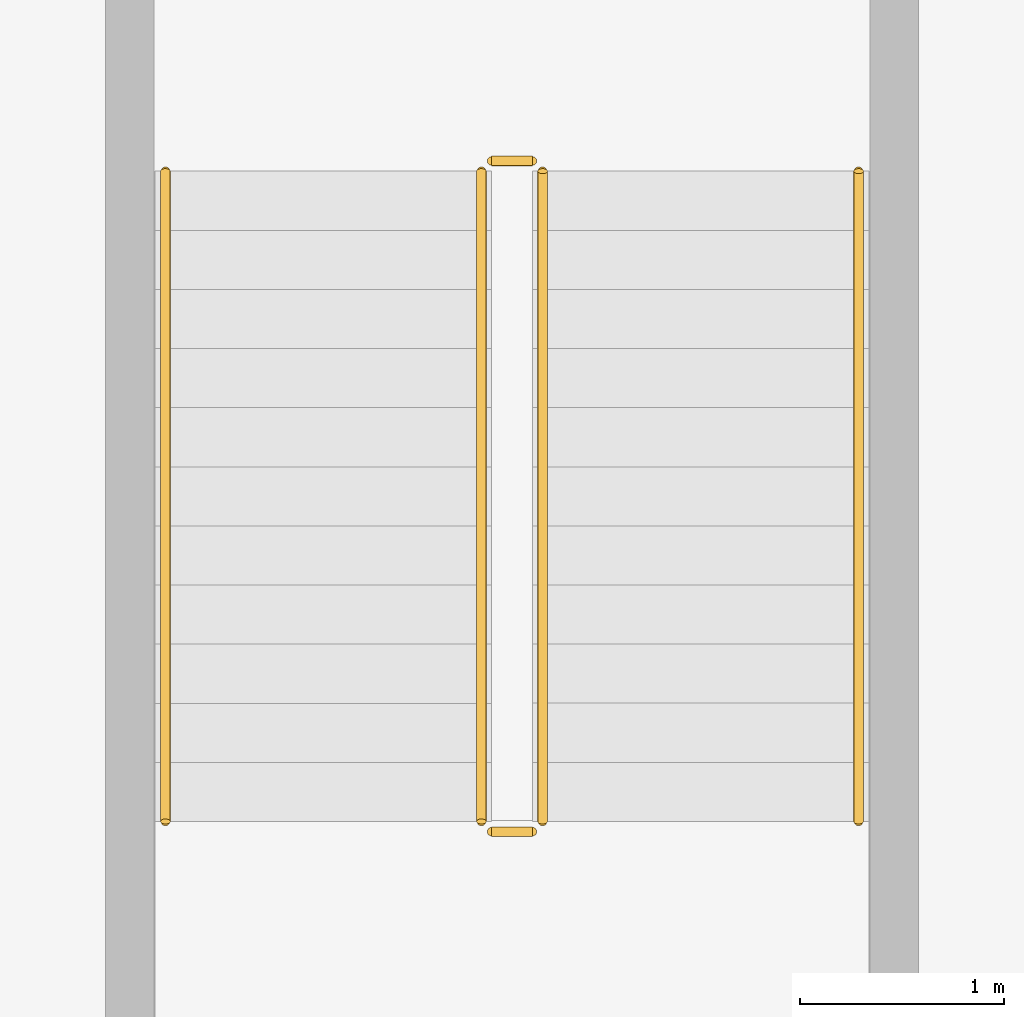
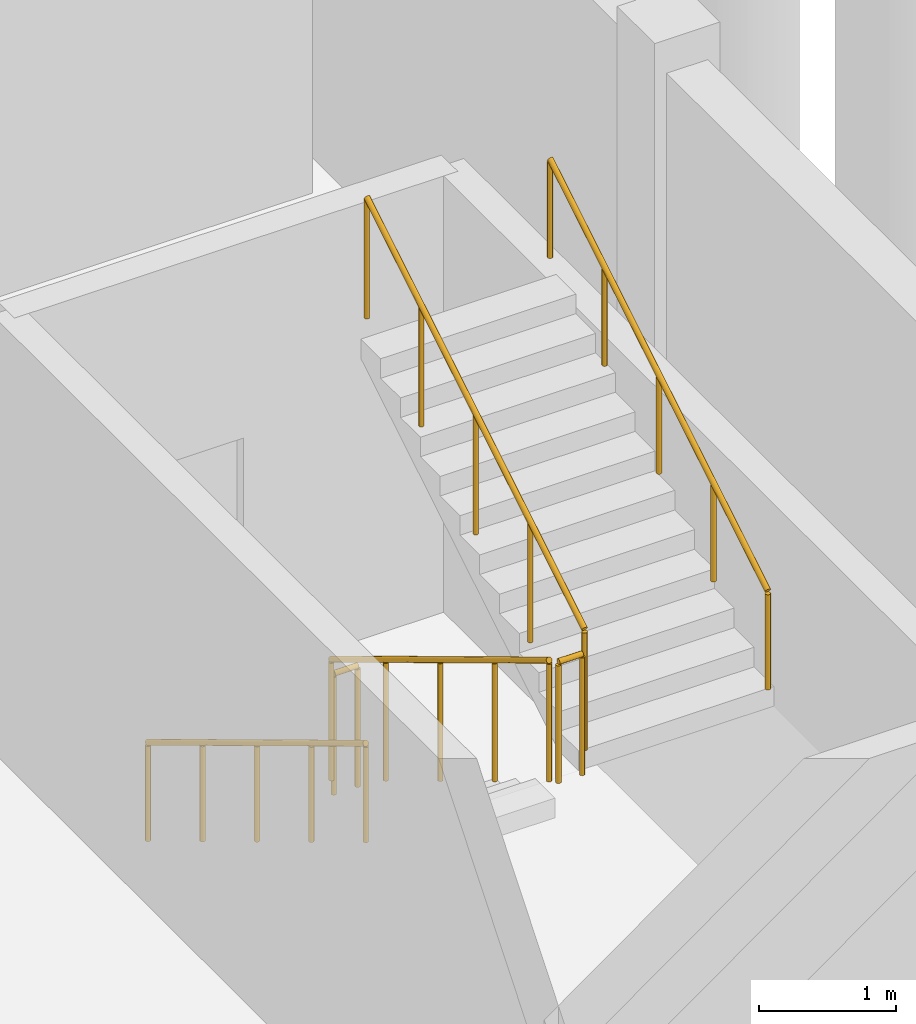
# One storey, part 28 of 36: 6 railings.
"""IFC4 building model written with IfcOpenShell, lengths in metres."""

from ifc_helpers import new_model, si_unit, derived_unit, direction, frame, origin, origin_2d, place, context, subcontext, project, spatial, circle, extrude, material, type_object, element, save


model = new_model("IFC4")

# Units and contexts
model_context = context("Model", 3, precision=1e-05, world=origin(), true_north=direction((0.0, 1.0)))
body_context = subcontext(model_context, "Body", "Model", "MODEL_VIEW")
ifc_project = project(units=[si_unit("LENGTHUNIT", "METRE"), si_unit("AREAUNIT", "SQUARE_METRE"), si_unit("VOLUMEUNIT", "CUBIC_METRE"), si_unit("PLANEANGLEUNIT", "RADIAN"), si_unit("MASSUNIT", "GRAM", prefix="KILO"), si_unit("THERMODYNAMICTEMPERATUREUNIT", "KELVIN"), si_unit("TIMEUNIT", "SECOND"), derived_unit("THERMALTRANSMITTANCEUNIT", [(si_unit("MASSUNIT", "GRAM", prefix="KILO"), 1), (si_unit("THERMODYNAMICTEMPERATUREUNIT", "KELVIN"), -1), (si_unit("TIMEUNIT", "SECOND"), -3)])], contexts=[model_context])

# Site, building, storey
site_placement = place(None, origin())
site = spatial("IfcSite", under=ifc_project, at=site_placement, CompositionType="ELEMENT")
building_placement = place(site_placement, origin())
building = spatial("IfcBuilding", under=site, at=building_placement, Name="Cambertide Market Hall", CompositionType="ELEMENT")
storey_placement = place(building_placement, frame((0.0, 0.0, -4.199951171875)))
storey = spatial("IfcBuildingStorey", under=building, at=storey_placement, Name="B1", CompositionType="ELEMENT", Elevation=-4.199951171875)

# Railings
ifc_material_1 = material(Name="Stainless Steel Grade 316", Category="metal")
railing_type_1 = type_object("IfcRailingType", Name="Stair Wall Handrail 900", PredefinedType="HANDRAIL", material=ifc_material_1)
railing_1_placement = place(storey_placement, frame((24.300048828125, 20.75, 0.175048828125)))
element("IfcRailing", 1, at=railing_1_placement, inside=storey, type_object=railing_type_1, Name="Basement 1 ST-04B stair handrail 1", PredefinedType="HANDRAIL", context=body_context, shape_type="SweptSolid", body=[
    extrude(circle(Radius=0.02392578125, at=origin_2d()), frame((0.0, 0.0, 0.8759765625), z_axis=(0.0, -0.856206652436, 0.516633495163), x_axis=(1.0, 0.0, 0.0)), (0.0, 0.0, 1.0), 3.7255859375),
    extrude(circle(Radius=0.02099609375, at=origin_2d()), origin(), (0.0, 0.0, 1.0), 0.851806640625),
    extrude(circle(Radius=0.02099609375, at=origin_2d()), frame((0.0, -0.79736328125, 0.481201171875)), (0.0, 0.0, 1.0), 0.851806640625),
    extrude(circle(Radius=0.02099609375, at=origin_2d()), frame((0.0, -1.594970703125, 0.96240234375)), (0.0, 0.0, 1.0), 0.851806640625),
    extrude(circle(Radius=0.02099609375, at=origin_2d()), frame((0.0, -2.392578125, 1.443603515625)), (0.0, 0.0, 1.0), 0.851806640625),
    extrude(circle(Radius=0.02099609375, at=origin_2d()), frame((0.0, -3.18994140625, 1.9248046875)), (0.0, 0.0, 1.0), 0.851806640625),
])
railing_2_placement = place(storey_placement, frame((27.699951171875, 17.56005859375, 2.27490234375)))
element("IfcRailing", 2, at=railing_2_placement, inside=storey, type_object=railing_type_1, Name="Basement 1 ST-04B stair handrail 2", PredefinedType="HANDRAIL", context=body_context, shape_type="SweptSolid", body=[
    extrude(circle(Radius=0.02392578125, at=origin_2d()), frame((0.0, 0.0, 0.8759765625), z_axis=(0.0, 0.856177665481, 0.516681531633), x_axis=(-1.0, 0.0, 0.0)), (0.0, 0.0, 1.0), 3.725830078125),
    extrude(circle(Radius=0.02099609375, at=origin_2d()), origin(), (0.0, 0.0, 1.0), 0.851806640625),
    extrude(circle(Radius=0.02099609375, at=origin_2d()), frame((0.0, 0.79736328125, 0.481201171875)), (0.0, 0.0, 1.0), 0.851806640625),
    extrude(circle(Radius=0.02099609375, at=origin_2d()), frame((0.0, 1.594970703125, 0.96240234375)), (0.0, 0.0, 1.0), 0.851806640625),
    extrude(circle(Radius=0.02099609375, at=origin_2d()), frame((0.0, 2.392578125, 1.44384765625)), (0.0, 0.0, 1.0), 0.851806640625),
    extrude(circle(Radius=0.02099609375, at=origin_2d()), frame((0.0, 3.18994140625, 1.925048828125)), (0.0, 0.0, 1.0), 0.851806640625),
])
ifc_material_2 = material(Name="Stainless Steel Grade 316", Category="metal")
railing_type_2 = type_object("IfcRailingType", Name="Stairwell Inner Guardrail 1100", PredefinedType="GUARDRAIL", material=ifc_material_2)
railing_3_placement = place(storey_placement, frame((25.85009765625, 20.75, 0.175048828125)))
element("IfcRailing", 3, at=railing_3_placement, inside=storey, type_object=railing_type_2, Name="Basement 1 ST-04B stair guard 1", PredefinedType="GUARDRAIL", context=body_context, shape_type="SweptSolid", body=[
    extrude(circle(Radius=0.02392578125, at=origin_2d()), frame((0.0, 0.0, 1.076171875), z_axis=(0.0, -0.856206652436, 0.516633495163), x_axis=(1.0, 0.0, 0.0)), (0.0, 0.0, 1.0), 3.7255859375),
    extrude(circle(Radius=0.02099609375, at=origin_2d()), origin(), (0.0, 0.0, 1.0), 1.052001953125),
    extrude(circle(Radius=0.02099609375, at=origin_2d()), frame((0.0, -0.79736328125, 0.481201171875)), (0.0, 0.0, 1.0), 1.052001953125),
    extrude(circle(Radius=0.02099609375, at=origin_2d()), frame((0.0, -1.594970703125, 0.96240234375)), (0.0, 0.0, 1.0), 1.052001953125),
    extrude(circle(Radius=0.02099609375, at=origin_2d()), frame((0.0, -2.392578125, 1.443603515625)), (0.0, 0.0, 1.0), 1.052001953125),
    extrude(circle(Radius=0.02099609375, at=origin_2d()), frame((0.0, -3.18994140625, 1.9248046875)), (0.0, 0.0, 1.0), 1.052001953125),
])
railing_4_placement = place(storey_placement, frame((25.89990234375, 17.510009765625, 2.099853515625)))
element("IfcRailing", 4, at=railing_4_placement, inside=storey, type_object=railing_type_2, Name="Basement 1 ST-04B stair guard 2", PredefinedType="GUARDRAIL", context=body_context, shape_type="SweptSolid", body=[
    extrude(circle(Radius=0.02392578125, at=origin_2d()), frame((0.0, 0.0, 1.076171875), z_axis=(1.0, 0.0, 0.0), x_axis=(0.0, 1.0, 0.0)), (0.0, 0.0, 1.0), 0.2001953125),
    extrude(circle(Radius=0.02099609375, at=origin_2d()), origin(), (0.0, 0.0, 1.0), 1.052001953125),
    extrude(circle(Radius=0.02099609375, at=origin_2d()), frame((0.2001953125, 0.0, 0.0)), (0.0, 0.0, 1.0), 1.052001953125),
])
railing_5_placement = place(storey_placement, frame((26.14990234375, 17.56005859375, 2.27490234375)))
element("IfcRailing", 5, at=railing_5_placement, inside=storey, type_object=railing_type_2, Name="Basement 1 ST-04B stair guard 3", PredefinedType="GUARDRAIL", context=body_context, shape_type="SweptSolid", body=[
    extrude(circle(Radius=0.02392578125, at=origin_2d()), frame((0.0, 0.0, 1.076171875), z_axis=(0.0, 0.856177665481, 0.516681531633), x_axis=(-1.0, 0.0, 0.0)), (0.0, 0.0, 1.0), 3.725830078125),
    extrude(circle(Radius=0.02099609375, at=origin_2d()), origin(), (0.0, 0.0, 1.0), 1.052001953125),
    extrude(circle(Radius=0.02099609375, at=origin_2d()), frame((0.0, 0.79736328125, 0.481201171875)), (0.0, 0.0, 1.0), 1.052001953125),
    extrude(circle(Radius=0.02099609375, at=origin_2d()), frame((0.0, 1.594970703125, 0.96240234375)), (0.0, 0.0, 1.0), 1.052001953125),
    extrude(circle(Radius=0.02099609375, at=origin_2d()), frame((0.0, 2.392578125, 1.44384765625)), (0.0, 0.0, 1.0), 1.052001953125),
    extrude(circle(Radius=0.02099609375, at=origin_2d()), frame((0.0, 3.18994140625, 1.925048828125)), (0.0, 0.0, 1.0), 1.052001953125),
])
railing_6_placement = place(storey_placement, frame((25.89990234375, 20.800048828125, 0.0)))
element("IfcRailing", 6, at=railing_6_placement, inside=storey, type_object=railing_type_2, Name="Basement 1 ST-04B stair guard 4", PredefinedType="GUARDRAIL", context=body_context, shape_type="SweptSolid", body=[
    extrude(circle(Radius=0.02392578125, at=origin_2d()), frame((0.0, 0.0, 1.076171875), z_axis=(1.0, 0.0, 0.0), x_axis=(0.0, 1.0, 0.0)), (0.0, 0.0, 1.0), 0.2001953125),
    extrude(circle(Radius=0.02099609375, at=origin_2d()), origin(), (0.0, 0.0, 1.0), 1.052001953125),
    extrude(circle(Radius=0.02099609375, at=origin_2d()), frame((0.2001953125, 0.0, 0.0)), (0.0, 0.0, 1.0), 1.052001953125),
])

save(model, "model.ifc")
